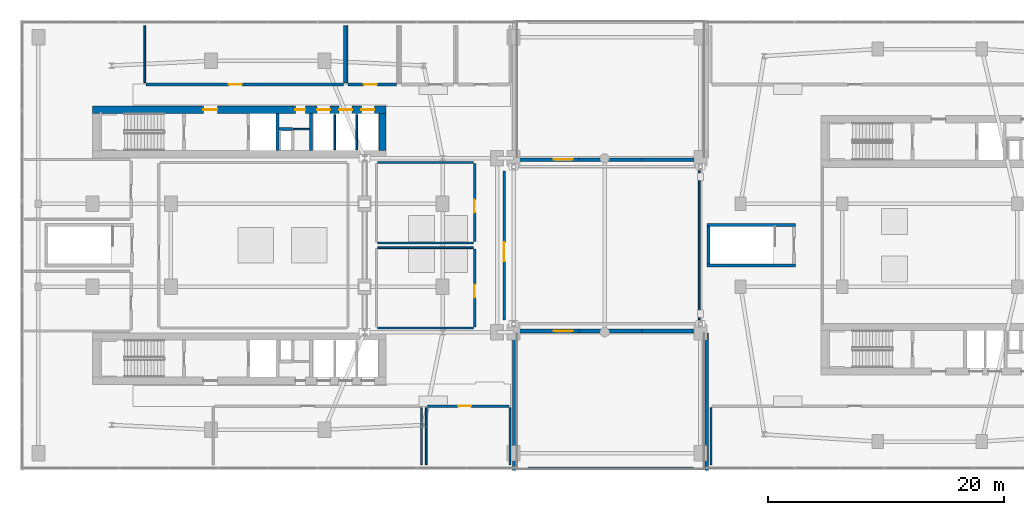
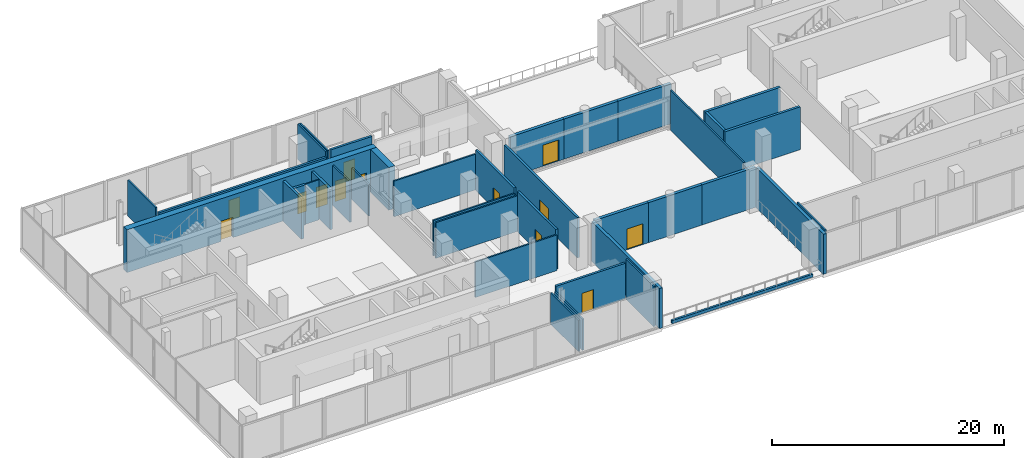
# One storey, part 15 of 21: 38 walls, 13 doors, 13 openings.
"""IFC4 building model written with IfcOpenShell, lengths in metres."""

from ifc_helpers import new_model, si_unit, derived_unit, direction, frame, frame_2d, origin, place, context, subcontext, project, spatial, rectangle, extrude, material, layer, layer_set, type_object, element, fill, save


model = new_model("IFC4")

# Units and contexts
model_context = context("Model", 3, precision=1e-05, world=origin(), true_north=direction((0.0, 1.0)))
body_context = subcontext(model_context, "Body", "Model", "MODEL_VIEW")
ifc_project = project(units=[si_unit("LENGTHUNIT", "METRE"), si_unit("AREAUNIT", "SQUARE_METRE"), si_unit("VOLUMEUNIT", "CUBIC_METRE"), si_unit("PLANEANGLEUNIT", "RADIAN"), si_unit("MASSUNIT", "GRAM", prefix="KILO"), derived_unit("THERMALTRANSMITTANCEUNIT", [(si_unit("POWERUNIT", "WATT"), 1), (si_unit("LENGTHUNIT", "METRE"), -2), (si_unit("THERMODYNAMICTEMPERATUREUNIT", "KELVIN"), -1)])], contexts=[model_context])

# Site, building, storey
site_placement = place(None, origin())
site = spatial("IfcSite", under=ifc_project, at=site_placement, CompositionType="ELEMENT")
building_placement = place(site_placement, origin())
building = spatial("IfcBuilding", under=site, at=building_placement, Name="Kivonza Crest Hotel", CompositionType="ELEMENT")
storey_placement = place(building_placement, frame((0.0, 0.0, 19.5)))
storey = spatial("IfcBuildingStorey", under=building, at=storey_placement, Name="L04", CompositionType="ELEMENT", Elevation=19.5)

# Wall, opening, door
ifc_material_1 = material(Name="Autoclaved aerated concrete blockwork", Category="masonry")
ifc_layer_1 = layer(ifc_material_1, 0.219970703125)
ifc_layer_set_1 = layer_set([ifc_layer_1], Name="Autoclaved aerated concrete blockwork")
wall_type_1 = type_object("IfcWallType", Name="WL-ACOU-220", PredefinedType="SOLIDWALL", material=ifc_layer_set_1)
wall_1_placement = place(storey_placement, frame((34.5, 11.39990234375, 0.0), z_axis=(0.0, 0.0, 1.0), x_axis=(1.0, 0.0, 0.0)))
wall_1 = element("IfcWall", 1, at=wall_1_placement, inside=storey, type_object=wall_type_1, Name="L04 interior partition WA-L04-SPA-REL-N", PredefinedType="SOLIDWALL", context=body_context, shape_type="SweptSolid", body=[
    extrude(rectangle(XDim=6.89990234375, YDim=0.219970703125, at=frame_2d((3.449951171875, 0.0))), origin(), (0.0, 0.0, 1.0), 3.7451171875),
])
opening_1_placement = place(wall_1_placement, frame((2.60009765625, 0.0, 0.0)))
opening_1 = element("IfcOpeningElement", 2, at=opening_1_placement, cuts=wall_1, Name="Opening DF-60M", PredefinedType="OPENING", context=body_context, shape_type="SweptSolid", body=[
    extrude(rectangle(XDim=1.10009765625, YDim=2.10009765625, at=frame_2d((0.550048828125, 1.050048828125))), frame((0.0, 0.1201171875, 0.0), z_axis=(0.0, -1.0, 0.0), x_axis=(1.0, 0.0, 0.0)), (0.0, 0.0, 1.0), 0.239990234375),
])
ifc_material_2 = material(Name="Hardwood timber oak", Category="wood")
door_type_1 = type_object("IfcDoorType", Name="DR-FD60-1100", OperationType="NOTDEFINED", PredefinedType="DOOR", material=ifc_material_2)
door_1_placement = place(opening_1_placement, frame((1.10009765625, 0.0, 0.0), z_axis=(0.0, 0.0, 1.0), x_axis=(-1.0, 0.0, 0.0)))
door_1 = element("IfcDoor", 3, at=door_1_placement, inside=storey, type_object=door_type_1, Name="L04 Thermal Relaxation Suite door", OperationType="SINGLE_SWING_LEFT", OverallHeight=2.10009765625, OverallWidth=1.10009765625, PredefinedType="DOOR", context=body_context, shape_type="SweptSolid", body=[
    extrude(rectangle(XDim=1.10009765625, YDim=2.10009765625, at=frame_2d((0.550048828125, 1.050048828125))), frame((0.0, 0.02490234375, 0.0), z_axis=(0.0, -1.0, 0.0), x_axis=(1.0, 0.0, 0.0)), (0.0, 0.0, 1.0), 0.050048828125),
])
fill(opening_1, door_1)

wall_2_placement = place(storey_placement, frame((10.699951171875, 38.60009765625, 0.0), z_axis=(0.0, 0.0, 1.0), x_axis=(1.0, 0.0, 0.0)))
wall_2 = element("IfcWall", 4, at=wall_2_placement, inside=storey, type_object=wall_type_1, Name="L04 interior partition WA-L04-FIT-GYM-S", PredefinedType="SOLIDWALL", context=body_context, shape_type="SweptSolid", body=[
    extrude(rectangle(XDim=16.699951171875, YDim=0.219970703125, at=frame_2d((8.35009765625, 0.0))), origin(), (0.0, 0.0, 1.0), 3.294921875),
])
opening_2_placement = place(wall_2_placement, frame((7.010009765625, 0.0, 0.0)))
opening_2 = element("IfcOpeningElement", 5, at=opening_2_placement, cuts=wall_2, Name="Opening DF-60M", PredefinedType="OPENING", context=body_context, shape_type="SweptSolid", body=[
    extrude(rectangle(XDim=1.10009765625, YDim=2.10009765625, at=frame_2d((0.550048828125, 1.050048828125))), frame((0.0, 0.1201171875, 0.0), z_axis=(0.0, -1.0, 0.0), x_axis=(1.0, 0.0, 0.0)), (0.0, 0.0, 1.0), 0.239990234375),
])
door_2_placement = place(opening_2_placement, origin())
door_2 = element("IfcDoor", 6, at=door_2_placement, inside=storey, type_object=door_type_1, Name="L04 Hotel Fitness Gym Studio door", OperationType="SINGLE_SWING_LEFT", OverallHeight=2.10009765625, OverallWidth=1.10009765625, PredefinedType="DOOR", context=body_context, shape_type="SweptSolid", body=[
    extrude(rectangle(XDim=1.10009765625, YDim=2.10009765625, at=frame_2d((0.550048828125, 1.050048828125))), frame((0.0, 0.02490234375, 0.0), z_axis=(0.0, -1.0, 0.0), x_axis=(1.0, 0.0, 0.0)), (0.0, 0.0, 1.0), 0.050048828125),
])
fill(opening_2, door_2)

wall_3_placement = place(storey_placement, frame((38.5, 18.10009765625, 0.0), z_axis=(0.0, 0.0, 1.0), x_axis=(0.0, 1.0, 0.0)))
wall_3 = element("IfcWall", 7, at=wall_3_placement, inside=storey, type_object=wall_type_1, Name="L04 interior partition WA-L04-SPA-TR1-E", PredefinedType="SOLIDWALL", context=body_context, shape_type="SweptSolid", body=[
    extrude(rectangle(XDim=6.599853515625, YDim=0.219970703125, at=frame_2d((3.2998046875, 0.0))), origin(), (0.0, 0.0, 1.0), 4.219970703125),
])
opening_3_placement = place(wall_3_placement, frame((2.465087890625, 0.0, 0.0)))
opening_3 = element("IfcOpeningElement", 8, at=opening_3_placement, cuts=wall_3, Name="Opening DF-60M", PredefinedType="OPENING", context=body_context, shape_type="SweptSolid", body=[
    extrude(rectangle(XDim=1.10009765625, YDim=2.10009765625, at=frame_2d((0.550048828125, 1.050048828125))), frame((0.0, 0.1201171875, 0.0), z_axis=(0.0, -1.0, 0.0), x_axis=(1.0, 0.0, 0.0)), (0.0, 0.0, 1.0), 0.239990234375),
])
door_3_placement = place(opening_3_placement, origin())
door_3 = element("IfcDoor", 9, at=door_3_placement, inside=storey, type_object=door_type_1, Name="L04 Spa Treatment Room Alpha door", OperationType="SINGLE_SWING_RIGHT", OverallHeight=2.10009765625, OverallWidth=1.10009765625, PredefinedType="DOOR", context=body_context, shape_type="SweptSolid", body=[
    extrude(rectangle(XDim=1.10009765625, YDim=2.10009765625, at=frame_2d((0.550048828125, 1.050048828125))), frame((0.0, 0.02490234375, 0.0), z_axis=(0.0, -1.0, 0.0), x_axis=(1.0, 0.0, 0.0)), (0.0, 0.0, 1.0), 0.050048828125),
])
fill(opening_3, door_3)

wall_4_placement = place(storey_placement, frame((38.5, 25.300048828125, 0.0), z_axis=(0.0, 0.0, 1.0), x_axis=(0.0, 1.0, 0.0)))
wall_4 = element("IfcWall", 10, at=wall_4_placement, inside=storey, type_object=wall_type_1, Name="L04 interior partition WA-L04-SPA-TR2-E", PredefinedType="SOLIDWALL", context=body_context, shape_type="SweptSolid", body=[
    extrude(rectangle(XDim=6.599853515625, YDim=0.219970703125, at=frame_2d((3.2998046875, 0.0))), origin(), (0.0, 0.0, 1.0), 4.219970703125),
])
opening_4_placement = place(wall_4_placement, frame((2.465087890625, 0.0, 0.0)))
opening_4 = element("IfcOpeningElement", 11, at=opening_4_placement, cuts=wall_4, Name="Opening DF-60M", PredefinedType="OPENING", context=body_context, shape_type="SweptSolid", body=[
    extrude(rectangle(XDim=1.10009765625, YDim=2.10009765625, at=frame_2d((0.550048828125, 1.050048828125))), frame((0.0, 0.1201171875, 0.0), z_axis=(0.0, -1.0, 0.0), x_axis=(1.0, 0.0, 0.0)), (0.0, 0.0, 1.0), 0.239990234375),
])
door_4_placement = place(opening_4_placement, origin())
door_4 = element("IfcDoor", 12, at=door_4_placement, inside=storey, type_object=door_type_1, Name="L04 Spa Treatment Room Beta door", OperationType="SINGLE_SWING_LEFT", OverallHeight=2.10009765625, OverallWidth=1.10009765625, PredefinedType="DOOR", context=body_context, shape_type="SweptSolid", body=[
    extrude(rectangle(XDim=1.10009765625, YDim=2.10009765625, at=frame_2d((0.550048828125, 1.050048828125))), frame((0.0, 0.02490234375, 0.0), z_axis=(0.0, -1.0, 0.0), x_axis=(1.0, 0.0, 0.0)), (0.0, 0.0, 1.0), 0.050048828125),
])
fill(opening_4, door_4)

wall_5_placement = place(storey_placement, frame((41.0, 18.699951171875, 0.0), z_axis=(0.0, 0.0, 1.0), x_axis=(0.0, 1.0, 0.0)))
wall_5 = element("IfcWall", 13, at=wall_5_placement, inside=storey, type_object=wall_type_1, Name="L04 interior partition WA-L04-POD-LNK4-W", PredefinedType="SOLIDWALL", context=body_context, shape_type="SweptSolid", body=[
    extrude(rectangle(XDim=12.60009765625, YDim=0.219970703125, at=frame_2d((6.300048828125, 0.0))), origin(), (0.0, 0.0, 1.0), 4.219970703125),
])
opening_5_placement = place(wall_5_placement, frame((4.93994140625, 0.0, 0.0)))
opening_5 = element("IfcOpeningElement", 14, at=opening_5_placement, cuts=wall_5, Name="Opening DB-60", PredefinedType="OPENING", context=body_context, shape_type="SweptSolid", body=[
    extrude(rectangle(XDim=1.60009765625, YDim=2.14990234375, at=frame_2d((0.800048828125, 1.074951171875))), frame((0.0, 0.1201171875, 0.0), z_axis=(0.0, -1.0, 0.0), x_axis=(1.0, 0.0, 0.0)), (0.0, 0.0, 1.0), 0.239990234375),
])
ifc_material_3 = material(Name="Galvanised steel", Category="steel")
door_type_2 = type_object("IfcDoorType", Name="DR-BRG-1600", OperationType="NOTDEFINED", PredefinedType="DOOR", material=ifc_material_3)
door_5_placement = place(opening_5_placement, frame((1.60009765625, 0.0, 0.0), z_axis=(0.0, 0.0, 1.0), x_axis=(-1.0, 0.0, 0.0)))
door_5 = element("IfcDoor", 15, at=door_5_placement, inside=storey, type_object=door_type_2, Name="L04 Upper Podium Link Gallery door", OperationType="SINGLE_SWING_RIGHT", OverallHeight=2.14990234375, OverallWidth=1.60009765625, PredefinedType="DOOR", context=body_context, shape_type="SweptSolid", body=[
    extrude(rectangle(XDim=1.60009765625, YDim=2.14990234375, at=frame_2d((0.800048828125, 1.074951171875))), frame((0.0, 0.02490234375, 0.0), z_axis=(0.0, -1.0, 0.0), x_axis=(1.0, 0.0, 0.0)), (0.0, 0.0, 1.0), 0.050048828125),
])
fill(opening_5, door_5)

wall_6_placement = place(storey_placement, frame((27.800048828125, 38.60009765625, 0.0), z_axis=(0.0, 0.0, 1.0), x_axis=(1.0, 0.0, 0.0)))
wall_6 = element("IfcWall", 16, at=wall_6_placement, inside=storey, type_object=wall_type_1, Name="L04 interior partition WA-L04-AWC-S", PredefinedType="SOLIDWALL", context=body_context, shape_type="SweptSolid", body=[
    extrude(rectangle(XDim=4.099853515625, YDim=0.219970703125, at=frame_2d((2.0498046875, 0.0))), origin(), (0.0, 0.0, 1.0), 3.925048828125),
])
opening_6_placement = place(wall_6_placement, frame((1.340087890625, 0.0, 0.0)))
opening_6 = element("IfcOpeningElement", 17, at=opening_6_placement, cuts=wall_6, Name="Opening DF-60M", PredefinedType="OPENING", context=body_context, shape_type="SweptSolid", body=[
    extrude(rectangle(XDim=1.10009765625, YDim=2.10009765625, at=frame_2d((0.550048828125, 1.050048828125))), frame((0.0, 0.1201171875, 0.0), z_axis=(0.0, -1.0, 0.0), x_axis=(1.0, 0.0, 0.0)), (0.0, 0.0, 1.0), 0.239990234375),
])
door_6_placement = place(opening_6_placement, origin())
door_6 = element("IfcDoor", 18, at=door_6_placement, inside=storey, type_object=door_type_1, Name="L04 L04 Spa Accessible WC door", OperationType="SINGLE_SWING_RIGHT", OverallHeight=2.10009765625, OverallWidth=1.10009765625, PredefinedType="DOOR", context=body_context, shape_type="SweptSolid", body=[
    extrude(rectangle(XDim=1.10009765625, YDim=2.10009765625, at=frame_2d((0.550048828125, 1.050048828125))), frame((0.0, 0.02490234375, 0.0), z_axis=(0.0, -1.0, 0.0), x_axis=(1.0, 0.0, 0.0)), (0.0, 0.0, 1.0), 0.050048828125),
])
fill(opening_6, door_6)

# Wall, openings, doors
ifc_material_4 = material(Name="Concrete C60/75", Category="concrete")
ifc_layer_2 = layer(ifc_material_4, 0.60009765625)
ifc_layer_set_2 = layer_set([ifc_layer_2], Name="Concrete C60/75")
wall_type_2 = type_object("IfcWallType", Name="WL-CORE-600", PredefinedType="SHEAR", material=ifc_layer_set_2)
wall_7_placement = place(storey_placement, frame((6.199951171875, 36.4599609375, 0.0), z_axis=(0.0, 0.0, 1.0), x_axis=(1.0, 0.0, 0.0)))
wall_7 = element("IfcWall", 19, at=wall_7_placement, inside=storey, type_object=wall_type_2, Name="Core wall T1-N North L04", PredefinedType="SHEAR", context=body_context, shape_type="SweptSolid", body=[
    extrude(rectangle(XDim=24.800048828125, YDim=0.60009765625, at=frame_2d((12.39990234375, 0.0))), origin(), (0.0, 0.0, 1.0), 4.5),
])
opening_7_placement = place(wall_7_placement, frame((9.35009765625, 0.0, 0.0)))
opening_7 = element("IfcOpeningElement", 20, at=opening_7_placement, cuts=wall_7, Name="Opening DF-60", PredefinedType="OPENING", context=body_context, shape_type="SweptSolid", body=[
    extrude(rectangle(XDim=1.199951171875, YDim=2.14990234375, at=frame_2d((0.60009765625, 1.074951171875))), frame((0.0, 0.31005859375, 0.0), z_axis=(0.0, -1.0, 0.0), x_axis=(1.0, 0.0, 0.0)), (0.0, 0.0, 1.0), 0.6201171875),
])
opening_8_placement = place(wall_7_placement, frame((17.139892578125, 0.0, 0.0)))
opening_8 = element("IfcOpeningElement", 21, at=opening_8_placement, cuts=wall_7, Name="Opening DF-60R", PredefinedType="OPENING", context=body_context, shape_type="SweptSolid", body=[
    extrude(rectangle(XDim=0.85009765625, YDim=2.10009765625, at=frame_2d((0.425048828125, 1.050048828125))), frame((0.0, 0.31005859375, 0.0), z_axis=(0.0, -1.0, 0.0), x_axis=(1.0, 0.0, 0.0)), (0.0, 0.0, 1.0), 0.6201171875),
])
opening_9_placement = place(wall_7_placement, frame((18.98291015625, 0.0, 0.0)))
opening_9 = element("IfcOpeningElement", 22, at=opening_9_placement, cuts=wall_7, Name="Opening LD-120", PredefinedType="OPENING", context=body_context, shape_type="SweptSolid", body=[
    extrude(rectangle(XDim=1.10009765625, YDim=2.14990234375, at=frame_2d((0.550048828125, 1.074951171875))), frame((0.0, 0.31005859375, 0.0), z_axis=(0.0, -1.0, 0.0), x_axis=(1.0, 0.0, 0.0)), (0.0, 0.0, 1.0), 0.6201171875),
])
opening_10_placement = place(wall_7_placement, frame((20.85009765625, 0.0, 0.0)))
opening_10 = element("IfcOpeningElement", 23, at=opening_10_placement, cuts=wall_7, Name="Opening LD-120", PredefinedType="OPENING", context=body_context, shape_type="SweptSolid", body=[
    extrude(rectangle(XDim=1.10009765625, YDim=2.14990234375, at=frame_2d((0.550048828125, 1.074951171875))), frame((0.0, 0.31005859375, 0.0), z_axis=(0.0, -1.0, 0.0), x_axis=(1.0, 0.0, 0.0)), (0.0, 0.0, 1.0), 0.6201171875),
])
opening_11_placement = place(wall_7_placement, frame((22.716064453125, 0.0, 0.0)))
opening_11 = element("IfcOpeningElement", 24, at=opening_11_placement, cuts=wall_7, Name="Opening LD-120", PredefinedType="OPENING", context=body_context, shape_type="SweptSolid", body=[
    extrude(rectangle(XDim=1.10009765625, YDim=2.14990234375, at=frame_2d((0.550048828125, 1.074951171875))), frame((0.0, 0.31005859375, 0.0), z_axis=(0.0, -1.0, 0.0), x_axis=(1.0, 0.0, 0.0)), (0.0, 0.0, 1.0), 0.6201171875),
])
door_type_3 = type_object("IfcDoorType", Name="DR-FD60-1200", OperationType="NOTDEFINED", PredefinedType="DOOR", material=ifc_material_2)
door_7_placement = place(opening_7_placement, origin())
door_7 = element("IfcDoor", 25, at=door_7_placement, inside=storey, type_object=door_type_3, Name="L04 T1-N firefighting lobby fire door", OperationType="SINGLE_SWING_RIGHT", OverallHeight=2.14990234375, OverallWidth=1.199951171875, PredefinedType="DOOR", context=body_context, shape_type="SweptSolid", body=[
    extrude(rectangle(XDim=1.199951171875, YDim=2.14990234375, at=frame_2d((0.60009765625, 1.074951171875))), frame((0.0, 0.02490234375, 0.0), z_axis=(0.0, -1.0, 0.0), x_axis=(1.0, 0.0, 0.0)), (0.0, 0.0, 1.0), 0.050048828125),
])
fill(opening_7, door_7)
door_type_4 = type_object("IfcDoorType", Name="DR-FD60-850", OperationType="NOTDEFINED", PredefinedType="DOOR", material=ifc_material_2)
door_8_placement = place(opening_8_placement, origin())
door_8 = element("IfcDoor", 26, at=door_8_placement, inside=storey, type_object=door_type_4, Name="L04 T1-N core room door", OperationType="SINGLE_SWING_RIGHT", OverallHeight=2.10009765625, OverallWidth=0.85009765625, PredefinedType="DOOR", context=body_context, shape_type="SweptSolid", body=[
    extrude(rectangle(XDim=0.85009765625, YDim=2.10009765625, at=frame_2d((0.425048828125, 1.050048828125))), frame((0.0, 0.02490234375, 0.0), z_axis=(0.0, -1.0, 0.0), x_axis=(1.0, 0.0, 0.0)), (0.0, 0.0, 1.0), 0.050048828125),
])
fill(opening_8, door_8)
ifc_material_5 = material(Name="Stainless steel", Category="steel")
door_type_5 = type_object("IfcDoorType", Name="DR-LD120-1100", OperationType="NOTDEFINED", PredefinedType="DOOR", material=ifc_material_5)
door_9_placement = place(opening_9_placement, origin())
door_9 = element("IfcDoor", 27, at=door_9_placement, inside=storey, type_object=door_type_5, Name="L04 PL-T1-L1 passenger lift sliding landing door", OperationType="DOUBLE_DOOR_SLIDING", OverallHeight=2.14990234375, OverallWidth=1.10009765625, PredefinedType="DOOR", context=body_context, shape_type="SweptSolid", body=[
    extrude(rectangle(XDim=1.10009765625, YDim=2.14990234375, at=frame_2d((0.550048828125, 1.074951171875))), frame((0.0, 0.02490234375, 0.0), z_axis=(0.0, -1.0, 0.0), x_axis=(1.0, 0.0, 0.0)), (0.0, 0.0, 1.0), 0.050048828125),
])
fill(opening_9, door_9)
door_10_placement = place(opening_10_placement, origin())
door_10 = element("IfcDoor", 28, at=door_10_placement, inside=storey, type_object=door_type_5, Name="L04 PL-T1-L2 passenger lift sliding landing door", OperationType="DOUBLE_DOOR_SLIDING", OverallHeight=2.14990234375, OverallWidth=1.10009765625, PredefinedType="DOOR", context=body_context, shape_type="SweptSolid", body=[
    extrude(rectangle(XDim=1.10009765625, YDim=2.14990234375, at=frame_2d((0.550048828125, 1.074951171875))), frame((0.0, 0.02490234375, 0.0), z_axis=(0.0, -1.0, 0.0), x_axis=(1.0, 0.0, 0.0)), (0.0, 0.0, 1.0), 0.050048828125),
])
fill(opening_10, door_10)
door_11_placement = place(opening_11_placement, origin())
door_11 = element("IfcDoor", 29, at=door_11_placement, inside=storey, type_object=door_type_5, Name="L04 PL-T1-L3 passenger lift sliding landing door", OperationType="DOUBLE_DOOR_SLIDING", OverallHeight=2.14990234375, OverallWidth=1.10009765625, PredefinedType="DOOR", context=body_context, shape_type="SweptSolid", body=[
    extrude(rectangle(XDim=1.10009765625, YDim=2.14990234375, at=frame_2d((0.550048828125, 1.074951171875))), frame((0.0, 0.02490234375, 0.0), z_axis=(0.0, -1.0, 0.0), x_axis=(1.0, 0.0, 0.0)), (0.0, 0.0, 1.0), 0.050048828125),
])
fill(opening_11, door_11)

# Walls
wall_8_placement = place(storey_placement, frame((30.699951171875, 33.0, 0.0), z_axis=(0.0, 0.0, 1.0), x_axis=(0.0, 1.0, 0.0)))
element("IfcWall", 30, at=wall_8_placement, inside=storey, type_object=wall_type_2, Name="Core wall T1-N East L04", PredefinedType="SHEAR", context=body_context, shape_type="SweptSolid", body=[
    extrude(rectangle(XDim=3.159912109375, YDim=0.60009765625, at=frame_2d((1.580078125, 0.0))), origin(), (0.0, 0.0, 1.0), 4.5),
])
ifc_material_6 = material(Name="Precast concrete C40/50", Category="concrete")
ifc_layer_3 = layer(ifc_material_6, 0.300048828125)
ifc_layer_set_3 = layer_set([ifc_layer_3], Name="Precast concrete C40/50")
wall_type_3 = type_object("IfcWallType", Name="WL-EXT-300", PredefinedType="STANDARD", material=ifc_layer_set_3)
wall_9_placement = place(storey_placement, frame((41.85009765625, 5.945068359375, 0.0), z_axis=(0.0, 0.0, 1.0), x_axis=(0.0, 1.0, 0.0)))
element("IfcWall", 31, at=wall_9_placement, inside=storey, type_object=wall_type_3, Name="L04 POD exterior insulated wall 6", PredefinedType="STANDARD", context=body_context, shape_type="SweptSolid", body=[
    extrude(rectangle(XDim=11.679931640625, YDim=0.300048828125, at=frame_2d((5.83984375, 0.0))), origin(), (0.0, 0.0, 1.0), 4.219970703125),
])

# Wall, opening, door
wall_10_placement = place(storey_placement, frame((42.010009765625, 17.75, 0.0), z_axis=(0.0, 0.0, 1.0), x_axis=(1.0, 0.0, 0.0)))
wall_10 = element("IfcWall", 32, at=wall_10_placement, inside=storey, type_object=wall_type_3, Name="L04 POD exterior insulated wall 7", PredefinedType="STANDARD", context=body_context, shape_type="SweptSolid", body=[
    extrude(rectangle(XDim=5.3310546875, YDim=0.300048828125, at=frame_2d((2.66552734375, 0.0))), origin(), (0.0, 0.0, 1.0), 4.219970703125),
])
opening_12_placement = place(wall_10_placement, frame((3.18994140625, 0.0, 0.0)))
opening_12 = element("IfcOpeningElement", 33, at=opening_12_placement, cuts=wall_10, Name="Opening DT-160", PredefinedType="OPENING", context=body_context, shape_type="SweptSolid", body=[
    extrude(rectangle(XDim=1.60009765625, YDim=2.199951171875, at=frame_2d((0.800048828125, 1.10009765625))), frame((0.0, 0.16015625, 0.0), z_axis=(0.0, -1.0, 0.0), x_axis=(1.0, 0.0, 0.0)), (0.0, 0.0, 1.0), 0.320068359375),
])
ifc_material_7 = material(Name="Anodised bronze aluminium and laminated safety glass", Category="aluminium")
door_type_6 = type_object("IfcDoorType", Name="DR-TERR-1600", OperationType="NOTDEFINED", PredefinedType="DOOR", material=ifc_material_7)
door_12_placement = place(opening_12_placement, frame((1.60009765625, 0.0, 0.0), z_axis=(0.0, 0.0, 1.0), x_axis=(-1.0, 0.0, 0.0)))
door_12 = element("IfcDoor", 34, at=door_12_placement, inside=storey, type_object=door_type_6, Name="L04 South court terrace door", OperationType="DOUBLE_DOOR_SINGLE_SWING", OverallHeight=2.199951171875, OverallWidth=1.60009765625, PredefinedType="DOOR", context=body_context, shape_type="SweptSolid", body=[
    extrude(rectangle(XDim=1.60009765625, YDim=2.199951171875, at=frame_2d((0.800048828125, 1.10009765625))), frame((0.0, 0.02490234375, 0.0), z_axis=(0.0, -1.0, 0.0), x_axis=(1.0, 0.0, 0.0)), (0.0, 0.0, 1.0), 0.050048828125),
])
fill(opening_12, door_12)

# Walls
wall_11_placement = place(storey_placement, frame((47.324951171875, 17.75, 0.0), z_axis=(0.0, 0.0, 1.0), x_axis=(1.0, 0.0, 0.0)))
element("IfcWall", 35, at=wall_11_placement, inside=storey, type_object=wall_type_3, Name="L04 POD exterior insulated wall 8", PredefinedType="STANDARD", context=body_context, shape_type="SweptSolid", body=[
    extrude(rectangle(XDim=5.35009765625, YDim=0.300048828125, at=frame_2d((2.675048828125, 0.0))), origin(), (0.0, 0.0, 1.0), 4.219970703125),
])
wall_12_placement = place(storey_placement, frame((52.658935546875, 17.75, 0.0), z_axis=(0.0, 0.0, 1.0), x_axis=(1.0, 0.0, 0.0)))
element("IfcWall", 36, at=wall_12_placement, inside=storey, type_object=wall_type_3, Name="L04 POD exterior insulated wall 9", PredefinedType="STANDARD", context=body_context, shape_type="SweptSolid", body=[
    extrude(rectangle(XDim=5.365966796875, YDim=0.300048828125, at=frame_2d((2.68310546875, 0.0))), origin(), (0.0, 0.0, 1.0), 4.219970703125),
])
wall_13_placement = place(storey_placement, frame((58.14990234375, 17.590087890625, 0.0), z_axis=(0.0, 0.0, 1.0), x_axis=(0.0, -1.0, 0.0)))
element("IfcWall", 37, at=wall_13_placement, inside=storey, type_object=wall_type_3, Name="L04 POD exterior insulated wall 10", PredefinedType="STANDARD", context=body_context, shape_type="SweptSolid", body=[
    extrude(rectangle(XDim=11.64501953125, YDim=0.300048828125, at=frame_2d((5.822509765625, 0.0))), origin(), (0.0, 0.0, 1.0), 4.219970703125),
])
wall_14_placement = place(storey_placement, frame((57.989990234375, 32.25, 0.0), z_axis=(0.0, 0.0, 1.0), x_axis=(-1.0, 0.0, 0.0)))
element("IfcWall", 38, at=wall_14_placement, inside=storey, type_object=wall_type_3, Name="L04 POD exterior insulated wall 27", PredefinedType="STANDARD", context=body_context, shape_type="SweptSolid", body=[
    extrude(rectangle(XDim=5.3310546875, YDim=0.300048828125, at=frame_2d((2.66552734375, 0.0))), origin(), (0.0, 0.0, 1.0), 4.219970703125),
])
wall_15_placement = place(storey_placement, frame((52.675048828125, 32.25, 0.0), z_axis=(0.0, 0.0, 1.0), x_axis=(-1.0, 0.0, 0.0)))
element("IfcWall", 39, at=wall_15_placement, inside=storey, type_object=wall_type_3, Name="L04 POD exterior insulated wall 28", PredefinedType="STANDARD", context=body_context, shape_type="SweptSolid", body=[
    extrude(rectangle(XDim=5.35009765625, YDim=0.300048828125, at=frame_2d((2.675048828125, 0.0))), origin(), (0.0, 0.0, 1.0), 4.219970703125),
])

# Wall, opening, door
wall_16_placement = place(storey_placement, frame((47.341064453125, 32.25, 0.0), z_axis=(0.0, 0.0, 1.0), x_axis=(-1.0, 0.0, 0.0)))
wall_16 = element("IfcWall", 40, at=wall_16_placement, inside=storey, type_object=wall_type_3, Name="L04 POD exterior insulated wall 29", PredefinedType="STANDARD", context=body_context, shape_type="SweptSolid", body=[
    extrude(rectangle(XDim=5.365966796875, YDim=0.300048828125, at=frame_2d((2.68310546875, 0.0))), origin(), (0.0, 0.0, 1.0), 4.219970703125),
])
opening_13_placement = place(wall_16_placement, frame((0.541015625, 0.0, 0.0)))
opening_13 = element("IfcOpeningElement", 41, at=opening_13_placement, cuts=wall_16, Name="Opening DT-160", PredefinedType="OPENING", context=body_context, shape_type="SweptSolid", body=[
    extrude(rectangle(XDim=1.60009765625, YDim=2.199951171875, at=frame_2d((0.800048828125, 1.10009765625))), frame((0.0, 0.16015625, 0.0), z_axis=(0.0, -1.0, 0.0), x_axis=(1.0, 0.0, 0.0)), (0.0, 0.0, 1.0), 0.320068359375),
])
door_13_placement = place(opening_13_placement, frame((1.60009765625, 0.0, 0.0), z_axis=(0.0, 0.0, 1.0), x_axis=(-1.0, 0.0, 0.0)))
door_13 = element("IfcDoor", 42, at=door_13_placement, inside=storey, type_object=door_type_6, Name="L04 North court terrace door", OperationType="DOUBLE_DOOR_SINGLE_SWING", OverallHeight=2.199951171875, OverallWidth=1.60009765625, PredefinedType="DOOR", context=body_context, shape_type="SweptSolid", body=[
    extrude(rectangle(XDim=1.60009765625, YDim=2.199951171875, at=frame_2d((0.800048828125, 1.10009765625))), frame((0.0, 0.02490234375, 0.0), z_axis=(0.0, -1.0, 0.0), x_axis=(1.0, 0.0, 0.0)), (0.0, 0.0, 1.0), 0.050048828125),
])
fill(opening_13, door_13)

# Walls
ifc_material_8 = material(Name="Concrete blockwork fire-compartment wall", Category="masonry")
ifc_layer_4 = layer(ifc_material_8, 0.25)
ifc_layer_set_4 = layer_set([ifc_layer_4], Name="Concrete blockwork fire-compartment wall")
wall_type_4 = type_object("IfcWallType", Name="WL-FIRE-250", PredefinedType="SOLIDWALL", material=ifc_layer_set_4)
wall_17_placement = place(storey_placement, frame((21.949951171875, 34.820068359375, 0.0), z_axis=(0.0, 0.0, 1.0), x_axis=(1.0, 0.0, 0.0)))
element("IfcWall", 43, at=wall_17_placement, inside=storey, type_object=wall_type_4, Name="L04 interior partition WA-L04-T1-N-MEPR-H", PredefinedType="SOLIDWALL", context=body_context, shape_type="SweptSolid", body=[
    extrude(rectangle(XDim=1.150146484375, YDim=0.25, at=frame_2d((0.5751953125, 0.0))), origin(), (0.0, 0.0, 1.0), 4.219970703125),
])
ifc_layer_5 = layer(ifc_material_6, 0.199951171875)
ifc_layer_set_5 = layer_set([ifc_layer_5], Name="Precast concrete C40/50")
wall_type_5 = type_object("IfcWallType", Name="WL-PARAPET-200", PredefinedType="PARAPET", material=ifc_layer_set_5)
wall_18_placement = place(storey_placement, frame((43.0, 6.14990234375, 0.0), z_axis=(0.0, 0.0, 1.0), x_axis=(1.0, 0.0, 0.0)))
element("IfcWall", 44, at=wall_18_placement, inside=storey, type_object=wall_type_5, Name="L04 podium terrace edge parapet kerb 1", PredefinedType="PARAPET", context=body_context, shape_type="SweptSolid", body=[
    extrude(rectangle(XDim=14.0, YDim=0.199951171875, at=frame_2d((7.0, 0.0))), origin(), (0.0, 0.0, 1.0), 0.320068359375),
])
ifc_material_9 = material(Name="Metal-stud gypsum board partition", Category="gypsum")
ifc_layer_6 = layer(ifc_material_9, 0.125)
ifc_layer_set_6 = layer_set([ifc_layer_6], Name="Metal-stud gypsum board partition")
wall_type_6 = type_object("IfcWallType", Name="WL-PART-125", PredefinedType="PARTITIONING", material=ifc_layer_set_6)
wall_19_placement = place(storey_placement, frame((23.14990234375, 34.820068359375, 0.0), z_axis=(0.0, 0.0, 1.0), x_axis=(1.0, 0.0, 0.0)))
element("IfcWall", 45, at=wall_19_placement, inside=storey, type_object=wall_type_6, Name="L04 interior partition WP-L04-T1-N-SV2H", PredefinedType="PARTITIONING", context=body_context, shape_type="SweptSolid", body=[
    extrude(rectangle(XDim=1.35009765625, YDim=0.125, at=frame_2d((0.675048828125, 0.0))), origin(), (0.0, 0.0, 1.0), 4.219970703125),
])
ifc_material_10 = material(Name="Twin-stud acoustic gypsum board partition", Category="gypsum")
ifc_layer_7 = layer(ifc_material_10, 0.14990234375)
ifc_layer_set_7 = layer_set([ifc_layer_7], Name="Twin-stud acoustic gypsum board partition")
wall_type_7 = type_object("IfcWallType", Name="WL-PART-150", PredefinedType="PARTITIONING", material=ifc_layer_set_7)
wall_20_placement = place(storey_placement, frame((26.6669921875, 33.10009765625, 0.0), z_axis=(0.0, 0.0, 1.0), x_axis=(0.0, 1.0, 0.0)))
element("IfcWall", 46, at=wall_20_placement, inside=storey, type_object=wall_type_7, Name="L04 interior partition WP-L04-T1-N-BSH-1", PredefinedType="PARTITIONING", context=body_context, shape_type="SweptSolid", body=[
    extrude(rectangle(XDim=2.9599609375, YDim=0.14990234375, at=frame_2d((1.47998046875, 0.0))), origin(), (0.0, 0.0, 1.0), 4.219970703125),
])
wall_21_placement = place(storey_placement, frame((28.532958984375, 33.10009765625, 0.0), z_axis=(0.0, 0.0, 1.0), x_axis=(0.0, 1.0, 0.0)))
element("IfcWall", 47, at=wall_21_placement, inside=storey, type_object=wall_type_7, Name="L04 interior partition WP-L04-T1-N-BSH-2", PredefinedType="PARTITIONING", context=body_context, shape_type="SweptSolid", body=[
    extrude(rectangle(XDim=2.9599609375, YDim=0.14990234375, at=frame_2d((1.47998046875, 0.0))), origin(), (0.0, 0.0, 1.0), 3.294921875),
])
for number, where, z_axis, x_axis, name in (
    (48, (34.0, 6.449951171875, 0.0), (0.0, 0.0, 1.0), (0.0, 1.0, 0.0), "L04 interior partition WP-L04-LAP-POOL-BE"),
    (49, (34.39990234375, 6.449951171875, 0.0), (0.0, 0.0, 1.0), (0.0, 1.0, 0.0), "L04 interior partition WP-L04-SPA-REL-BW"),
):
    element("IfcWall", number, at=place(storey_placement, frame(where, z_axis=z_axis, x_axis=x_axis)), inside=storey, type_object=wall_type_7, Name=name, PredefinedType="PARTITIONING", context=body_context, shape_type="SweptSolid", body=[
        extrude(rectangle(XDim=4.800048828125, YDim=0.14990234375, at=frame_2d((2.39990234375, 0.0))), origin(), (0.0, 0.0, 1.0), 3.294921875),
    ])
for number, where, z_axis, x_axis, name in (
    (50, (41.5, 6.449951171875, 0.0), (0.0, 0.0, 1.0), (0.0, 1.0, 0.0), "L04 interior partition WP-L04-SPA-REL-BE"),
    (51, (58.5, 6.449951171875, 0.0), (0.0, 0.0, 1.0), (0.0, 1.0, 0.0), "L04 interior partition WP-L04-S-FIT-BW"),
):
    element("IfcWall", number, at=place(storey_placement, frame(where, z_axis=z_axis, x_axis=x_axis)), inside=storey, type_object=wall_type_7, Name=name, PredefinedType="PARTITIONING", context=body_context, shape_type="SweptSolid", body=[
        extrude(rectangle(XDim=4.800048828125, YDim=0.14990234375, at=frame_2d((2.39990234375, 0.0))), origin(), (0.0, 0.0, 1.0), 4.219970703125),
    ])
for number, where, z_axis, x_axis, name in (
    (52, (10.60009765625, 38.75, 0.0), (0.0, 0.0, 1.0), (0.0, 1.0, 0.0), "L04 interior partition WP-L04-FIT-GYM-BW"),
    (53, (27.5, 38.75, 0.0), (0.0, 0.0, 1.0), (0.0, 1.0, 0.0), "L04 interior partition WP-L04-FIT-GYM-BE"),
):
    element("IfcWall", number, at=place(storey_placement, frame(where, z_axis=z_axis, x_axis=x_axis)), inside=storey, type_object=wall_type_7, Name=name, PredefinedType="PARTITIONING", context=body_context, shape_type="SweptSolid", body=[
        extrude(rectangle(XDim=4.800048828125, YDim=0.14990234375, at=frame_2d((2.39990234375, 0.0))), origin(), (0.0, 0.0, 1.0), 3.7451171875),
    ])
for number, where, z_axis, x_axis, name in (
    (54, (30.300048828125, 18.0, 0.0), (0.0, 0.0, 1.0), (1.0, 0.0, 0.0), "L04 interior partition WP-L04-SPA-TR1-BS"),
    (55, (30.300048828125, 24.800048828125, 0.0), (0.0, 0.0, 1.0), (1.0, 0.0, 0.0), "L04 interior partition WP-L04-SPA-TR1-BN"),
    (56, (30.300048828125, 25.199951171875, 0.0), (0.0, 0.0, 1.0), (1.0, 0.0, 0.0), "L04 interior partition WP-L04-SPA-TR2-BS"),
    (57, (30.300048828125, 32.0, 0.0), (0.0, 0.0, 1.0), (1.0, 0.0, 0.0), "L04 interior partition WP-L04-SPA-TR2-BN"),
):
    element("IfcWall", number, at=place(storey_placement, frame(where, z_axis=z_axis, x_axis=x_axis)), inside=storey, type_object=wall_type_7, Name=name, PredefinedType="PARTITIONING", context=body_context, shape_type="SweptSolid", body=[
        extrude(rectangle(XDim=8.099853515625, YDim=0.14990234375, at=frame_2d((4.0498046875, 0.0))), origin(), (0.0, 0.0, 1.0), 3.7451171875),
    ])
wall_22_placement = place(storey_placement, frame((57.5, 18.699951171875, 0.0), z_axis=(0.0, 0.0, 1.0), x_axis=(0.0, 1.0, 0.0)))
element("IfcWall", 58, at=wall_22_placement, inside=storey, type_object=wall_type_7, Name="L04 interior partition WP-L04-POD-LNK4-BE", PredefinedType="PARTITIONING", context=body_context, shape_type="SweptSolid", body=[
    extrude(rectangle(XDim=12.60009765625, YDim=0.14990234375, at=frame_2d((6.300048828125, 0.0))), origin(), (0.0, 0.0, 1.0), 4.219970703125),
])
wall_23_placement = place(storey_placement, frame((27.699951171875, 38.75, 0.0), z_axis=(0.0, 0.0, 1.0), x_axis=(0.0, 1.0, 0.0)))
element("IfcWall", 59, at=wall_23_placement, inside=storey, type_object=wall_type_7, Name="L04 interior partition WP-L04-AWC-BW", PredefinedType="PARTITIONING", context=body_context, shape_type="SweptSolid", body=[
    extrude(rectangle(XDim=4.800048828125, YDim=0.14990234375, at=frame_2d((2.39990234375, 0.0))), origin(), (0.0, 0.0, 1.0), 3.7451171875),
])
ifc_material_11 = material(Name="Concrete C50/60", Category="concrete")
ifc_layer_8 = layer(ifc_material_11, 0.25)
ifc_layer_set_8 = layer_set([ifc_layer_8], Name="Concrete C50/60")
wall_type_8 = type_object("IfcWallType", Name="WL-SHAFT-250", PredefinedType="STANDARD", material=ifc_layer_set_8)
for number, where, z_axis, x_axis, name in (
    (60, (21.824951171875, 33.0, 0.0), (0.0, 0.0, 1.0), (0.0, 1.0, 0.0), "Core shaft wall T1-N FFL-E L04"),
    (61, (24.675048828125, 33.0, 0.0), (0.0, 0.0, 1.0), (0.0, 1.0, 0.0), "Core shaft wall T1-N BANK-W L04"),
):
    element("IfcWall", number, at=place(storey_placement, frame(where, z_axis=z_axis, x_axis=x_axis)), inside=storey, type_object=wall_type_8, Name=name, PredefinedType="STANDARD", context=body_context, shape_type="SweptSolid", body=[
        extrude(rectangle(XDim=3.159912109375, YDim=0.25, at=frame_2d((1.580078125, 0.0))), origin(), (0.0, 0.0, 1.0), 4.219970703125),
    ])
for number, where, z_axis, x_axis, name in (
    (62, (58.14990234375, 23.294921875, 0.0), (0.0, 0.0, 1.0), (1.0, 0.0, 0.0), "Podium stair enclosure wall ST-POD-E S L04"),
    (63, (58.14990234375, 26.705078125, 0.0), (0.0, 0.0, 1.0), (1.0, 0.0, 0.0), "Podium stair enclosure wall ST-POD-E N L04"),
):
    element("IfcWall", number, at=place(storey_placement, frame(where, z_axis=z_axis, x_axis=x_axis)), inside=storey, type_object=wall_type_8, Name=name, PredefinedType="STANDARD", context=body_context, shape_type="SweptSolid", body=[
        extrude(rectangle(XDim=7.5, YDim=0.25, at=frame_2d((3.75, 0.0))), origin(), (0.0, 0.0, 1.0), 4.5),
    ])
wall_24_placement = place(storey_placement, frame((58.27490234375, 23.419921875, 0.0), z_axis=(0.0, 0.0, 1.0), x_axis=(0.0, 1.0, 0.0)))
element("IfcWall", 64, at=wall_24_placement, inside=storey, type_object=wall_type_8, Name="Podium stair enclosure wall ST-POD-E W L04", PredefinedType="STANDARD", context=body_context, shape_type="SweptSolid", body=[
    extrude(rectangle(XDim=3.16015625, YDim=0.25, at=frame_2d((1.580078125, 0.0))), origin(), (0.0, 0.0, 1.0), 4.5),
])

save(model, "model.ifc")
